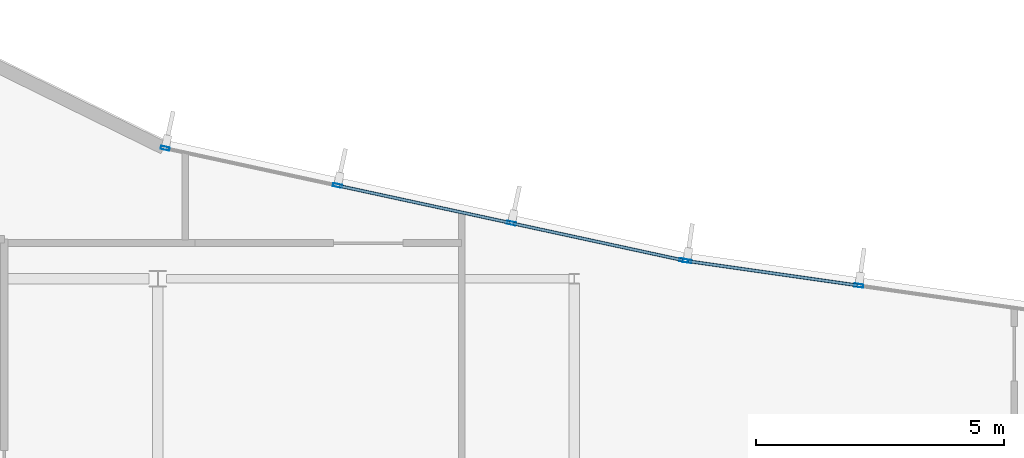
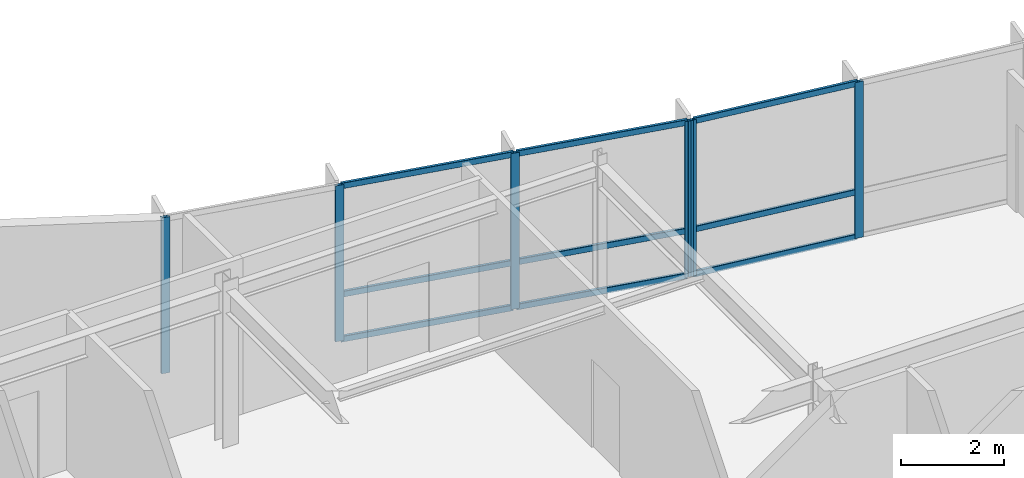
# One storey, part 6 of 16: 15 members, 2 elements without a shape of their own.
"""IFC4 building model written with IfcOpenShell, lengths in metres."""

from ifc_helpers import new_model, si_unit, direction, frame, origin, origin_2d, place, context, subcontext, project, spatial, hollow_rectangle, extrude, material, layer, layer_set, material_profile, profile_set, type_object, element, aggregate, save


model = new_model("IFC4")

# Units and contexts
model_context = context("Model", 3, precision=1e-05, world=origin(), true_north=direction((0.0, 1.0)))
body_context = subcontext(model_context, "Body", "Model", "MODEL_VIEW")
ifc_project = project(units=[si_unit("LENGTHUNIT", "METRE"), si_unit("AREAUNIT", "SQUARE_METRE"), si_unit("VOLUMEUNIT", "CUBIC_METRE"), si_unit("PLANEANGLEUNIT", "RADIAN"), si_unit("MASSUNIT", "GRAM", prefix="KILO")], contexts=[model_context])

# Site, building, storey
site_placement = place(None, origin())
site = spatial("IfcSite", under=ifc_project, at=site_placement, CompositionType="ELEMENT")
building_placement = place(site_placement, origin())
building = spatial("IfcBuilding", under=site, at=building_placement, Name="Varnakote Quay Hospital", CompositionType="ELEMENT")
storey_placement = place(building_placement, frame((0.0, 0.0, 296.050048828125)))
storey = spatial("IfcBuildingStorey", under=building, at=storey_placement, Name="L73", CompositionType="ELEMENT", Elevation=296.050048828125)

# Curtain wall, members
ifc_material_1 = material(Name="Anodised aluminium 6063-T6 Bronze", Category="aluminium")
ifc_layer = layer(ifc_material_1, 0.235107421875)
ifc_layer_set = layer_set([ifc_layer], Name="Anodised aluminium 6063-T6 Bronze")
curtain_wall_type = type_object("IfcCurtainWallType", Name="CW-SYS-5", PredefinedType="NOTDEFINED", material=ifc_layer_set)
curtain_wall_1_placement = place(storey_placement, origin())
curtain_wall_1 = element("IfcCurtainWall", 1, at=curtain_wall_1_placement, inside=storey, type_object=curtain_wall_type, Name="L73 Unitised Bronze Curtain Wall 1", PredefinedType="NOTDEFINED")
ifc_material_2 = material(Name="Anodised aluminium 6063-T6 Bronze", Category="aluminium")
ifc_material_profile_1 = material_profile(ifc_material_2, hollow_rectangle(XDim=0.06494140625, YDim=0.179931640625, WallThickness=0.00390625, InnerFilletRadius=0.00390625, OuterFilletRadius=0.008056640625, at=origin_2d()), Name="CW-MULL-180x65")
ifc_profile_set_1 = profile_set([ifc_material_profile_1], Name="Anodised aluminium 6063-T6 Bronze")
member_type_1 = type_object("IfcMemberType", Name="CW-MULL-180x65", PredefinedType="MULLION", material=ifc_profile_set_1)
member_1_placement = place(storey_placement, frame((30.9423828125, 28.662109375, 0.0), z_axis=(0.0, 0.0, 1.0), x_axis=(-0.141571876691, -0.989927979062, 0.0)))
member_1 = element("IfcMember", 2, at=member_1_placement, type_object=member_type_1, Name="-5-L73-1 mullion 3", PredefinedType="MULLION", context=body_context, shape_type="SweptSolid", body=[
    extrude(hollow_rectangle(XDim=0.06494140625, YDim=0.179931640625, WallThickness=0.00390625, InnerFilletRadius=0.00390625, OuterFilletRadius=0.008056640625, at=origin_2d()), origin(), (0.0, 0.0, 1.0), 3.7099609375),
])
member_2_placement = place(storey_placement, frame((27.475830078125, 29.15771484375, 0.0), z_axis=(0.0, 0.0, 1.0), x_axis=(-0.141571876691, -0.989927979062, 0.0)))
member_2 = element("IfcMember", 3, at=member_2_placement, type_object=member_type_1, Name="-5-L73-1 mullion 4", PredefinedType="MULLION", context=body_context, shape_type="SweptSolid", body=[
    extrude(hollow_rectangle(XDim=0.06494140625, YDim=0.179931640625, WallThickness=0.00390625, InnerFilletRadius=0.00390625, OuterFilletRadius=0.008056640625, at=origin_2d()), origin(), (0.0, 0.0, 1.0), 3.7099609375),
])

curtain_wall_2_placement = place(storey_placement, origin())
curtain_wall_2 = element("IfcCurtainWall", 4, at=curtain_wall_2_placement, inside=storey, type_object=curtain_wall_type, Name="L73 Unitised Bronze Curtain Wall 2", PredefinedType="NOTDEFINED")
member_3_placement = place(storey_placement, frame((27.411865234375, 29.169189453125, 0.0), z_axis=(0.0, 0.0, 1.0), x_axis=(-0.211407815974, -0.97739794114, 0.0)))
member_3 = element("IfcMember", 5, at=member_3_placement, type_object=member_type_1, Name="-5-L73-2 mullion 1", PredefinedType="MULLION", context=body_context, shape_type="SweptSolid", body=[
    extrude(hollow_rectangle(XDim=0.06494140625, YDim=0.179931640625, WallThickness=0.00390625, InnerFilletRadius=0.00390625, OuterFilletRadius=0.008056640625, at=origin_2d()), origin(), (0.0, 0.0, 1.0), 3.7099609375),
])
member_4_placement = place(storey_placement, frame((23.93408203125, 29.92138671875, 0.0), z_axis=(0.0, 0.0, 1.0), x_axis=(-0.211407815974, -0.97739794114, 0.0)))
member_4 = element("IfcMember", 6, at=member_4_placement, type_object=member_type_1, Name="-5-L73-2 mullion 2", PredefinedType="MULLION", context=body_context, shape_type="SweptSolid", body=[
    extrude(hollow_rectangle(XDim=0.06494140625, YDim=0.179931640625, WallThickness=0.00390625, InnerFilletRadius=0.00390625, OuterFilletRadius=0.008056640625, at=origin_2d()), origin(), (0.0, 0.0, 1.0), 3.7099609375),
])
member_5_placement = place(storey_placement, frame((20.424560546875, 30.6806640625, 0.0), z_axis=(0.0, 0.0, 1.0), x_axis=(-0.211407815974, -0.97739794114, 0.0)))
member_5 = element("IfcMember", 7, at=member_5_placement, type_object=member_type_1, Name="-5-L73-2 mullion 3", PredefinedType="MULLION", context=body_context, shape_type="SweptSolid", body=[
    extrude(hollow_rectangle(XDim=0.06494140625, YDim=0.179931640625, WallThickness=0.00390625, InnerFilletRadius=0.00390625, OuterFilletRadius=0.008056640625, at=origin_2d()), origin(), (0.0, 0.0, 1.0), 3.7099609375),
])
member_6_placement = place(storey_placement, frame((16.94677734375, 31.432861328125, 0.0), z_axis=(0.0, 0.0, 1.0), x_axis=(-0.211407815974, -0.97739794114, 0.0)))
member_6 = element("IfcMember", 8, at=member_6_placement, type_object=member_type_1, Name="-5-L73-2 mullion 4", PredefinedType="MULLION", context=body_context, shape_type="SweptSolid", body=[
    extrude(hollow_rectangle(XDim=0.06494140625, YDim=0.179931640625, WallThickness=0.00390625, InnerFilletRadius=0.00390625, OuterFilletRadius=0.008056640625, at=origin_2d()), origin(), (0.0, 0.0, 1.0), 3.7099609375),
])

# Member
ifc_material_3 = material(Name="Anodised aluminium 6063-T6 Bronze", Category="aluminium")
ifc_material_profile_2 = material_profile(ifc_material_3, hollow_rectangle(XDim=0.06494140625, YDim=0.139892578125, WallThickness=0.00390625, InnerFilletRadius=0.00390625, OuterFilletRadius=0.007568359375, at=origin_2d()), Name="CW-TRAN-140x65")
ifc_profile_set_2 = profile_set([ifc_material_profile_2], Name="Anodised aluminium 6063-T6 Bronze")
member_type_2 = type_object("IfcMemberType", Name="CW-TRAN-140x65", PredefinedType="USERDEFINED", material=ifc_profile_set_2)
member_7_placement = place(storey_placement, frame((30.910400390625, 28.666748046875, 0.032470703125), z_axis=(-0.989938124929, 0.141500914528, 0.0), x_axis=(-0.141500914528, -0.989938124929, 0.0)))
member_7 = element("IfcMember", 9, at=member_7_placement, type_object=member_type_2, Name="-5-L73-1 transom 3.1", ObjectType="TRANSOM", PredefinedType="USERDEFINED", context=body_context, shape_type="SweptSolid", body=[
    extrude(hollow_rectangle(XDim=0.06494140625, YDim=0.139892578125, WallThickness=0.00390625, InnerFilletRadius=0.00390625, OuterFilletRadius=0.007568359375, at=origin_2d()), origin(), (0.0, 0.0, 1.0), 3.43701171875),
])

member_8_placement = place(storey_placement, frame((30.910400390625, 28.666748046875, 1.099853515625), z_axis=(-0.989938124929, 0.141500914528, 0.0), x_axis=(-0.141500914528, -0.989938124929, 0.0)))
member_8 = element("IfcMember", 10, at=member_8_placement, type_object=member_type_2, Name="-5-L73-1 transom 3.2", ObjectType="TRANSOM", PredefinedType="USERDEFINED", context=body_context, shape_type="SweptSolid", body=[
    extrude(hollow_rectangle(XDim=0.06494140625, YDim=0.139892578125, WallThickness=0.00390625, InnerFilletRadius=0.00390625, OuterFilletRadius=0.007568359375, at=origin_2d()), origin(), (0.0, 0.0, 1.0), 3.43701171875),
])

member_9_placement = place(storey_placement, frame((30.910400390625, 28.666748046875, 3.677490234375), z_axis=(-0.989938124929, 0.141500914528, 0.0), x_axis=(-0.141500914528, -0.989938124929, 0.0)))
member_9 = element("IfcMember", 11, at=member_9_placement, type_object=member_type_2, Name="-5-L73-1 transom 3.3", ObjectType="TRANSOM", PredefinedType="USERDEFINED", context=body_context, shape_type="SweptSolid", body=[
    extrude(hollow_rectangle(XDim=0.06494140625, YDim=0.139892578125, WallThickness=0.00390625, InnerFilletRadius=0.00390625, OuterFilletRadius=0.007568359375, at=origin_2d()), origin(), (0.0, 0.0, 1.0), 3.43701171875),
])

aggregate(curtain_wall_1, [member_1, member_2, member_7, member_8, member_9])

member_10_placement = place(storey_placement, frame((27.380126953125, 29.176025390625, 0.032470703125), z_axis=(-0.977396604486, 0.211413995608, 0.0), x_axis=(-0.211413995608, -0.977396604486, 0.0)))
member_10 = element("IfcMember", 12, at=member_10_placement, type_object=member_type_2, Name="-5-L73-2 transom 1.1", ObjectType="TRANSOM", PredefinedType="USERDEFINED", context=body_context, shape_type="SweptSolid", body=[
    extrude(hollow_rectangle(XDim=0.06494140625, YDim=0.139892578125, WallThickness=0.00390625, InnerFilletRadius=0.00390625, OuterFilletRadius=0.007568359375, at=origin_2d()), origin(), (0.0, 0.0, 1.0), 3.4931640625),
])

member_11_placement = place(storey_placement, frame((27.380126953125, 29.176025390625, 1.099853515625), z_axis=(-0.977396604486, 0.211413995608, 0.0), x_axis=(-0.211413995608, -0.977396604486, 0.0)))
member_11 = element("IfcMember", 13, at=member_11_placement, type_object=member_type_2, Name="-5-L73-2 transom 1.2", ObjectType="TRANSOM", PredefinedType="USERDEFINED", context=body_context, shape_type="SweptSolid", body=[
    extrude(hollow_rectangle(XDim=0.06494140625, YDim=0.139892578125, WallThickness=0.00390625, InnerFilletRadius=0.00390625, OuterFilletRadius=0.007568359375, at=origin_2d()), origin(), (0.0, 0.0, 1.0), 3.4931640625),
])

member_12_placement = place(storey_placement, frame((27.380126953125, 29.176025390625, 3.677490234375), z_axis=(-0.977396604486, 0.211413995608, 0.0), x_axis=(-0.211413995608, -0.977396604486, 0.0)))
member_12 = element("IfcMember", 14, at=member_12_placement, type_object=member_type_2, Name="-5-L73-2 transom 1.3", ObjectType="TRANSOM", PredefinedType="USERDEFINED", context=body_context, shape_type="SweptSolid", body=[
    extrude(hollow_rectangle(XDim=0.06494140625, YDim=0.139892578125, WallThickness=0.00390625, InnerFilletRadius=0.00390625, OuterFilletRadius=0.007568359375, at=origin_2d()), origin(), (0.0, 0.0, 1.0), 3.4931640625),
])

member_13_placement = place(storey_placement, frame((23.90234375, 29.928466796875, 0.032470703125), z_axis=(-0.977398313089, 0.211406096342, 0.0), x_axis=(-0.211406096342, -0.977398313089, 0.0)))
member_13 = element("IfcMember", 15, at=member_13_placement, type_object=member_type_2, Name="-5-L73-2 transom 2.1", ObjectType="TRANSOM", PredefinedType="USERDEFINED", context=body_context, shape_type="SweptSolid", body=[
    extrude(hollow_rectangle(XDim=0.06494140625, YDim=0.139892578125, WallThickness=0.00390625, InnerFilletRadius=0.00390625, OuterFilletRadius=0.007568359375, at=origin_2d()), origin(), (0.0, 0.0, 1.0), 3.525634765625),
])

member_14_placement = place(storey_placement, frame((23.90234375, 29.928466796875, 1.099853515625), z_axis=(-0.977398313089, 0.211406096342, 0.0), x_axis=(-0.211406096342, -0.977398313089, 0.0)))
member_14 = element("IfcMember", 16, at=member_14_placement, type_object=member_type_2, Name="-5-L73-2 transom 2.2", ObjectType="TRANSOM", PredefinedType="USERDEFINED", context=body_context, shape_type="SweptSolid", body=[
    extrude(hollow_rectangle(XDim=0.06494140625, YDim=0.139892578125, WallThickness=0.00390625, InnerFilletRadius=0.00390625, OuterFilletRadius=0.007568359375, at=origin_2d()), origin(), (0.0, 0.0, 1.0), 3.525634765625),
])

member_15_placement = place(storey_placement, frame((23.90234375, 29.928466796875, 3.677490234375), z_axis=(-0.977398313089, 0.211406096342, 0.0), x_axis=(-0.211406096342, -0.977398313089, 0.0)))
member_15 = element("IfcMember", 17, at=member_15_placement, type_object=member_type_2, Name="-5-L73-2 transom 2.3", ObjectType="TRANSOM", PredefinedType="USERDEFINED", context=body_context, shape_type="SweptSolid", body=[
    extrude(hollow_rectangle(XDim=0.06494140625, YDim=0.139892578125, WallThickness=0.00390625, InnerFilletRadius=0.00390625, OuterFilletRadius=0.007568359375, at=origin_2d()), origin(), (0.0, 0.0, 1.0), 3.525634765625),
])

aggregate(curtain_wall_2, [member_3, member_4, member_5, member_6, member_10, member_11, member_12, member_13, member_14, member_15])

save(model, "model.ifc")
